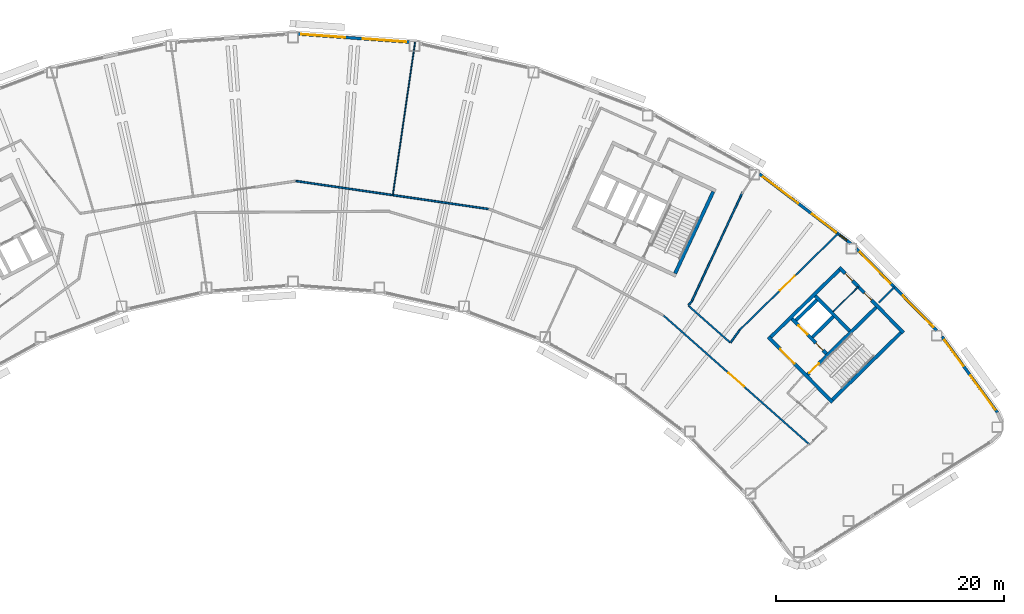
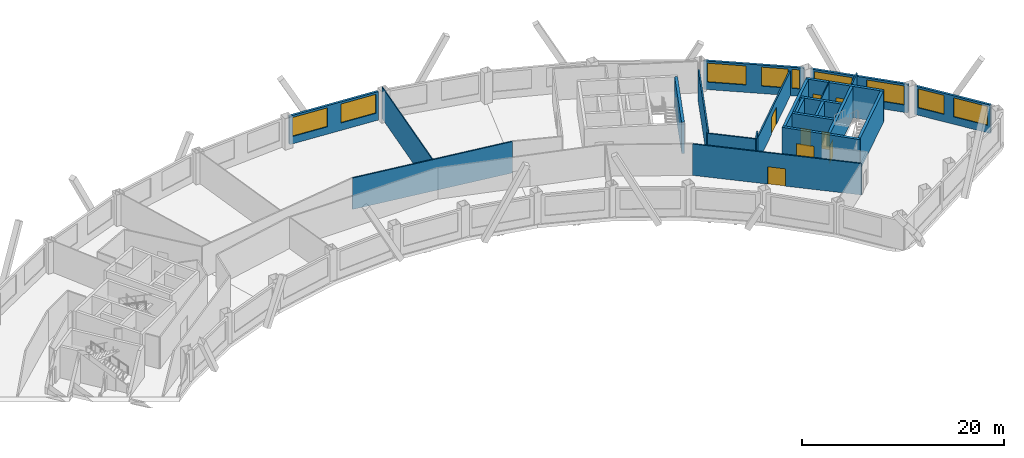
# One storey, part 8 of 12: 24 walls, 9 windows, 8 doors, 17 openings.
"""IFC4 building model written with IfcOpenShell, lengths in metres."""

from ifc_helpers import new_model, si_unit, direction, frame, frame_2d, origin, place, context, subcontext, project, spatial, rectangle, extrude, material, layer, layer_set, type_object, element, fill, save


model = new_model("IFC4")

# Units and contexts
model_context = context("Model", 3, precision=1e-05, world=origin(), true_north=direction((0.0, 1.0)))
body_context = subcontext(model_context, "Body", "Model", "MODEL_VIEW")
ifc_project = project(units=[si_unit("LENGTHUNIT", "METRE"), si_unit("AREAUNIT", "SQUARE_METRE"), si_unit("VOLUMEUNIT", "CUBIC_METRE"), si_unit("PLANEANGLEUNIT", "RADIAN"), si_unit("MASSUNIT", "GRAM", prefix="KILO")], contexts=[model_context])

# Site, building, storey
site_placement = place(None, origin())
site = spatial("IfcSite", under=ifc_project, at=site_placement, CompositionType="ELEMENT")
building_placement = place(site_placement, origin())
building = spatial("IfcBuilding", under=site, at=building_placement, Name="Tuul Gate Civic Tower", CompositionType="ELEMENT")
storey_placement = place(building_placement, frame((0.0, 0.0, 172.10009765625)))
storey = spatial("IfcBuildingStorey", under=building, at=storey_placement, Name="Level 39", CompositionType="ELEMENT", Elevation=172.10009765625)

# Wall, opening, door
ifc_material_1 = material(Name="Concrete C50/60", Category="concrete")
ifc_layer_1 = layer(ifc_material_1, 0.300048828125)
ifc_layer_set_1 = layer_set([ifc_layer_1], Name="Concrete C50/60")
wall_type_1 = type_object("IfcWallType", Name="Core wall C50/60", PredefinedType="SHEAR", material=ifc_layer_set_1)
wall_1_placement = place(storey_placement, frame((48.22509765625, -18.327880859375, 0.0), z_axis=(0.0, 0.0, 1.0), x_axis=(-0.700021979774, 0.714121297703, 0.0)))
wall_1 = element("IfcWall", 1, at=wall_1_placement, inside=storey, type_object=wall_type_1, Name="Core wall", PredefinedType="SHEAR", context=body_context, shape_type="SweptSolid", body=[
    extrude(rectangle(XDim=8.0, YDim=0.300048828125, at=frame_2d((4.0, 0.0))), origin(), (0.0, 0.0, 1.0), 3.7998046875),
])
opening_1_placement = place(wall_1_placement, frame((4.72509765625, 0.0, 0.0)))
opening_1 = element("IfcOpeningElement", 2, at=opening_1_placement, cuts=wall_1, Name="Opening LB-E1-LOBBY-1", PredefinedType="OPENING", context=body_context, shape_type="SweptSolid", body=[
    extrude(rectangle(XDim=1.800048828125, YDim=2.10009765625, at=frame_2d((0.89990234375, 1.050048828125))), frame((0.0, 0.16015625, 0.0), z_axis=(0.0, -1.0, 0.0), x_axis=(1.0, 0.0, 0.0)), (0.0, 0.0, 1.0), 0.320068359375),
])
ifc_material_2 = material(Name="Steel", Category="steel")
door_type_1 = type_object("IfcDoorType", Name="Lobby door", OperationType="DOUBLE_DOOR_SINGLE_SWING", PredefinedType="DOOR", material=ifc_material_2)
door_1_placement = place(opening_1_placement, frame((1.800048828125, 0.0, 0.0), z_axis=(0.0, 0.0, 1.0), x_axis=(-1.0, 0.0, 0.0)))
door_1 = element("IfcDoor", 3, at=door_1_placement, inside=storey, type_object=door_type_1, Name="Lobby door E1-LOBBY", OperationType="DOUBLE_DOOR_SINGLE_SWING", OverallHeight=2.10009765625, OverallWidth=1.800048828125, PredefinedType="DOOR", context=body_context, shape_type="SweptSolid", body=[
    extrude(rectangle(XDim=1.800048828125, YDim=2.10009765625, at=frame_2d((0.900146484375, 1.050048828125))), frame((0.0, 0.02490234375, 0.0), z_axis=(0.0, -1.0, 0.0), x_axis=(1.0, 0.0, 0.0)), (0.0, 0.0, 1.0), 0.050048828125),
])
fill(opening_1, door_1)

# Wall, openings, doors
wall_2_placement = place(storey_placement, frame((47.701904296875, -14.079833984375, 0.0), z_axis=(0.0, 0.0, 1.0), x_axis=(-0.700002721075, 0.714140175657, 0.0)))
wall_2 = element("IfcWall", 4, at=wall_2_placement, inside=storey, type_object=wall_type_1, Name="Core wall", PredefinedType="SHEAR", context=body_context, shape_type="SweptSolid", body=[
    extrude(rectangle(XDim=4.300048828125, YDim=0.300048828125, at=frame_2d((2.14990234375, 0.0))), origin(), (0.0, 0.0, 1.0), 3.7998046875),
])
opening_2_placement = place(wall_2_placement, frame((0.425048828125, 0.0, 0.0)))
opening_2 = element("IfcOpeningElement", 5, at=opening_2_placement, cuts=wall_2, Name="Opening FB-E1A1", PredefinedType="OPENING", context=body_context, shape_type="SweptSolid", body=[
    extrude(rectangle(XDim=0.89990234375, YDim=2.10009765625, at=frame_2d((0.449951171875, 1.050048828125))), frame((0.0, 0.16015625, 0.0), z_axis=(0.0, -1.0, 0.0), x_axis=(1.0, 0.0, 0.0)), (0.0, 0.0, 1.0), 0.320068359375),
])
opening_3_placement = place(wall_2_placement, frame((2.375, 0.0, 0.0)))
opening_3 = element("IfcOpeningElement", 6, at=opening_3_placement, cuts=wall_2, Name="Opening LD-M3", PredefinedType="OPENING", context=body_context, shape_type="SweptSolid", body=[
    extrude(rectangle(XDim=1.10009765625, YDim=2.10009765625, at=frame_2d((0.550048828125, 1.050048828125))), frame((0.0, 0.16015625, 0.0), z_axis=(0.0, -1.0, 0.0), x_axis=(1.0, 0.0, 0.0)), (0.0, 0.0, 1.0), 0.320068359375),
])
ifc_material_3 = material(Name="Stainless steel", Category="steel")
door_type_2 = type_object("IfcDoorType", Name="Landing door", OperationType="DOUBLE_DOOR_SLIDING", PredefinedType="DOOR", material=ifc_material_3)
door_2_placement = place(opening_3_placement, origin())
door_2 = element("IfcDoor", 7, at=door_2_placement, inside=storey, type_object=door_type_2, Name="Mid-rise lift M3 landing door", OperationType="DOUBLE_DOOR_SLIDING", OverallHeight=2.10009765625, OverallWidth=1.10009765625, PredefinedType="DOOR", context=body_context, shape_type="SweptSolid", body=[
    extrude(rectangle(XDim=1.10009765625, YDim=2.10009765625, at=frame_2d((0.550048828125, 1.050048828125))), frame((0.0, 0.02490234375, 0.0), z_axis=(0.0, -1.0, 0.0), x_axis=(1.0, 0.0, 0.0)), (0.0, 0.0, 1.0), 0.050048828125),
])
fill(opening_3, door_2)
ifc_material_4 = material(Name="Steel", Category="steel")
door_type_3 = type_object("IfcDoorType", Name="Store door", OperationType="NOTDEFINED", PredefinedType="DOOR", material=ifc_material_4)
door_3_placement = place(opening_2_placement, frame((0.89990234375, 0.0, 0.0), z_axis=(0.0, 0.0, 1.0), x_axis=(-1.0, 0.0, 0.0)))
door_3 = element("IfcDoor", 8, at=door_3_placement, inside=storey, type_object=door_type_3, Name="Store door E1A1", OperationType="SINGLE_SWING_RIGHT", OverallHeight=2.10009765625, OverallWidth=0.89990234375, PredefinedType="DOOR", context=body_context, shape_type="SweptSolid", body=[
    extrude(rectangle(XDim=0.89990234375, YDim=2.10009765625, at=frame_2d((0.449951171875, 1.050048828125))), frame((0.0, 0.02490234375, 0.0), z_axis=(0.0, -1.0, 0.0), x_axis=(1.0, 0.0, 0.0)), (0.0, 0.0, 1.0), 0.050048828125),
])
fill(opening_2, door_3)

# Wall
wall_3_placement = place(storey_placement, frame((49.737060546875, -12.0849609375, 0.0), z_axis=(0.0, 0.0, 1.0), x_axis=(-0.700002721075, 0.714140175657, 0.0)))
element("IfcWall", 9, at=wall_3_placement, inside=storey, type_object=wall_type_1, Name="Core wall", PredefinedType="SHEAR", context=body_context, shape_type="SweptSolid", body=[
    extrude(rectangle(XDim=4.300048828125, YDim=0.300048828125, at=frame_2d((2.14990234375, 0.0))), origin(), (0.0, 0.0, 1.0), 3.7998046875),
])

# Wall, openings, doors
wall_4_placement = place(storey_placement, frame((54.43798828125, -12.23779296875, 0.0), z_axis=(0.0, 0.0, 1.0), x_axis=(-0.700021979774, 0.714121297703, 0.0)))
wall_4 = element("IfcWall", 10, at=wall_4_placement, inside=storey, type_object=wall_type_1, Name="Core wall", PredefinedType="SHEAR", context=body_context, shape_type="SweptSolid", body=[
    extrude(rectangle(XDim=8.0, YDim=0.300048828125, at=frame_2d((4.0, 0.0))), origin(), (0.0, 0.0, 1.0), 3.7998046875),
])
opening_4_placement = place(wall_4_placement, frame((3.987548828125, 0.0, 0.0)))
opening_4 = element("IfcOpeningElement", 11, at=opening_4_placement, cuts=wall_4, Name="Opening N-D15", PredefinedType="OPENING", context=body_context, shape_type="SweptSolid", body=[
    extrude(rectangle(XDim=0.89990234375, YDim=2.10009765625, at=frame_2d((0.449951171875, 1.050048828125))), frame((0.0, 0.16015625, 0.0), z_axis=(0.0, -1.0, 0.0), x_axis=(1.0, 0.0, 0.0)), (0.0, 0.0, 1.0), 0.320068359375),
])
opening_5_placement = place(wall_4_placement, frame((6.362548828125, 0.0, 0.0)))
opening_5 = element("IfcOpeningElement", 12, at=opening_5_placement, cuts=wall_4, Name="Opening N-D16", PredefinedType="OPENING", context=body_context, shape_type="SweptSolid", body=[
    extrude(rectangle(XDim=0.89990234375, YDim=2.10009765625, at=frame_2d((0.449951171875, 1.050048828125))), frame((0.0, 0.16015625, 0.0), z_axis=(0.0, -1.0, 0.0), x_axis=(1.0, 0.0, 0.0)), (0.0, 0.0, 1.0), 0.320068359375),
])
ifc_material_5 = material(Name="Timber door leaf", Category="wood")
door_type_4 = type_object("IfcDoorType", Name="Door D09", OperationType="NOTDEFINED", PredefinedType="DOOR", material=ifc_material_5)
door_4_placement = place(opening_4_placement, origin())
door_4 = element("IfcDoor", 13, at=door_4_placement, inside=storey, type_object=door_type_4, Name="Door N-D15", OperationType="SINGLE_SWING_LEFT", OverallHeight=2.10009765625, OverallWidth=0.89990234375, PredefinedType="DOOR", context=body_context, shape_type="SweptSolid", body=[
    extrude(rectangle(XDim=0.89990234375, YDim=2.10009765625, at=frame_2d((0.449951171875, 1.050048828125))), frame((0.0, 0.02490234375, 0.0), z_axis=(0.0, -1.0, 0.0), x_axis=(1.0, 0.0, 0.0)), (0.0, 0.0, 1.0), 0.050048828125),
])
fill(opening_4, door_4)
door_5_placement = place(opening_5_placement, origin())
door_5 = element("IfcDoor", 14, at=door_5_placement, inside=storey, type_object=door_type_4, Name="Door N-D16", OperationType="SINGLE_SWING_LEFT", OverallHeight=2.10009765625, OverallWidth=0.89990234375, PredefinedType="DOOR", context=body_context, shape_type="SweptSolid", body=[
    extrude(rectangle(XDim=0.89990234375, YDim=2.10009765625, at=frame_2d((0.449951171875, 1.050048828125))), frame((0.0, 0.02490234375, 0.0), z_axis=(0.0, -1.0, 0.0), x_axis=(1.0, 0.0, 0.0)), (0.0, 0.0, 1.0), 0.050048828125),
])
fill(opening_5, door_5)

# Wall
wall_5_placement = place(storey_placement, frame((48.227294921875, -18.115966796875, 0.0), z_axis=(0.0, 0.0, 1.0), x_axis=(0.714105315431, 0.700038283577, 0.0)))
element("IfcWall", 15, at=wall_5_placement, inside=storey, type_object=wall_type_1, Name="Core wall", PredefinedType="SHEAR", context=body_context, shape_type="SweptSolid", body=[
    extrude(rectangle(XDim=8.400146484375, YDim=0.300048828125, at=frame_2d((4.2001953125, 0.0))), origin(), (0.0, 0.0, 1.0), 3.7998046875),
])

# Wall, opening, door
wall_6_placement = place(storey_placement, frame((46.05712890625, -15.902099609375, 0.0), z_axis=(0.0, 0.0, 1.0), x_axis=(0.714134086973, 0.700008932674, 0.0)))
wall_6 = element("IfcWall", 16, at=wall_6_placement, inside=storey, type_object=wall_type_1, Name="Core wall", PredefinedType="SHEAR", context=body_context, shape_type="SweptSolid", body=[
    extrude(rectangle(XDim=8.400146484375, YDim=0.300048828125, at=frame_2d((4.2001953125, 0.0))), origin(), (0.0, 0.0, 1.0), 3.7998046875),
])
opening_6_placement = place(wall_6_placement, frame((0.199951171875, 0.0, 0.0)))
opening_6 = element("IfcOpeningElement", 17, at=opening_6_placement, cuts=wall_6, Name="Opening SD-ST-3", PredefinedType="OPENING", context=body_context, shape_type="SweptSolid", body=[
    extrude(rectangle(XDim=1.199951171875, YDim=2.10009765625, at=frame_2d((0.60009765625, 1.050048828125))), frame((0.0, 0.16015625, 0.0), z_axis=(0.0, -1.0, 0.0), x_axis=(1.0, 0.0, 0.0)), (0.0, 0.0, 1.0), 0.320068359375),
])
ifc_material_6 = material(Name="Steel", Category="steel")
door_type_5 = type_object("IfcDoorType", Name="Stair door", OperationType="NOTDEFINED", PredefinedType="DOOR", material=ifc_material_6)
door_6_placement = place(opening_6_placement, origin())
door_6 = element("IfcDoor", 18, at=door_6_placement, inside=storey, type_object=door_type_5, Name="Stair door ST-3", OperationType="SINGLE_SWING_LEFT", OverallHeight=2.10009765625, OverallWidth=1.199951171875, PredefinedType="DOOR", context=body_context, shape_type="SweptSolid", body=[
    extrude(rectangle(XDim=1.199951171875, YDim=2.10009765625, at=frame_2d((0.60009765625, 1.050048828125))), frame((0.0, 0.02490234375, 0.0), z_axis=(0.0, -1.0, 0.0), x_axis=(1.0, 0.0, 0.0)), (0.0, 0.0, 1.0), 0.050048828125),
])
fill(opening_6, door_6)

# Walls
wall_7_placement = place(storey_placement, frame((46.47900390625, -12.617919921875, 0.0), z_axis=(0.0, 0.0, 1.0), x_axis=(0.71410944159, 0.700034074479, 0.0)))
element("IfcWall", 19, at=wall_7_placement, inside=storey, type_object=wall_type_1, Name="Core wall", PredefinedType="SHEAR", context=body_context, shape_type="SweptSolid", body=[
    extrude(rectangle(XDim=2.5498046875, YDim=0.300048828125, at=frame_2d((1.27490234375, 0.0))), origin(), (0.0, 0.0, 1.0), 3.7998046875),
])
wall_8_placement = place(storey_placement, frame((45.0439453125, -11.154052734375, 0.0), z_axis=(0.0, 0.0, 1.0), x_axis=(0.714108498262, 0.700035036773, 0.0)))
element("IfcWall", 20, at=wall_8_placement, inside=storey, type_object=wall_type_1, Name="Core wall", PredefinedType="SHEAR", context=body_context, shape_type="SweptSolid", body=[
    extrude(rectangle(XDim=2.550048828125, YDim=0.300048828125, at=frame_2d((1.27490234375, 0.0))), origin(), (0.0, 0.0, 1.0), 3.7998046875),
])
wall_9_placement = place(storey_placement, frame((42.837158203125, -12.616943359375, 0.0), z_axis=(0.0, 0.0, 1.0), x_axis=(0.714119844755, 0.700023461983, 0.0)))
element("IfcWall", 21, at=wall_9_placement, inside=storey, type_object=wall_type_1, Name="Core wall", PredefinedType="SHEAR", context=body_context, shape_type="SweptSolid", body=[
    extrude(rectangle(XDim=8.39990234375, YDim=0.300048828125, at=frame_2d((4.199951171875, 0.0))), origin(), (0.0, 0.0, 1.0), 3.7998046875),
])
wall_10_placement = place(storey_placement, frame((34.455810546875, -7.05078125, 0.0), z_axis=(0.0, 0.0, 1.0), x_axis=(0.422570768258, 0.906329932096, 0.0)))
element("IfcWall", 22, at=wall_10_placement, inside=storey, type_object=wall_type_1, Name="Core wall", PredefinedType="SHEAR", context=body_context, shape_type="SweptSolid", body=[
    extrude(rectangle(XDim=7.900146484375, YDim=0.300048828125, at=frame_2d((3.9501953125, 0.0))), origin(), (0.0, 0.0, 1.0), 3.7998046875),
])
ifc_material_7 = material(Name="Gypsum board partition")
ifc_layer_2 = layer(ifc_material_7, 0.14990234375)
ifc_layer_set_2 = layer_set([ifc_layer_2], Name="Gypsum board partition")
wall_type_2 = type_object("IfcWallType", Name="Corridor wall P150", PredefinedType="PARTITIONING", material=ifc_layer_set_2)
wall_11_placement = place(storey_placement, frame((35.616455078125, -9.875, 0.0), z_axis=(0.0, 0.0, 1.0), x_axis=(0.749743042124, -0.661729076576, 0.0)))
element("IfcWall", 23, at=wall_11_placement, inside=storey, type_object=wall_type_2, Name="p001", PredefinedType="PARTITIONING", context=body_context, shape_type="SweptSolid", body=[
    extrude(rectangle(XDim=4.884765625, YDim=0.14990234375, at=frame_2d((2.4423828125, 0.0))), origin(), (0.0, 0.0, 1.0), 3.7998046875),
])
wall_12_placement = place(storey_placement, frame((39.308349609375, -13.10400390625, 0.0), z_axis=(0.0, 0.0, 1.0), x_axis=(0.584971616372, 0.811053763964, 0.0)))
element("IfcWall", 24, at=wall_12_placement, inside=storey, type_object=wall_type_2, Name="p006", PredefinedType="PARTITIONING", context=body_context, shape_type="SweptSolid", body=[
    extrude(rectangle(XDim=1.340087890625, YDim=0.14990234375, at=frame_2d((0.669921875, 0.0))), origin(), (0.0, 0.0, 1.0), 3.7998046875),
])
wall_13_placement = place(storey_placement, frame((35.6142578125, -9.847412109375, 0.0), z_axis=(0.0, 0.0, 1.0), x_axis=(0.633627276475, 0.773638464987, 0.0)))
element("IfcWall", 25, at=wall_13_placement, inside=storey, type_object=wall_type_2, Name="p007", PredefinedType="PARTITIONING", context=body_context, shape_type="SweptSolid", body=[
    extrude(rectangle(XDim=0.477783203125, YDim=0.14990234375, at=frame_2d((0.23876953125, 0.0))), origin(), (0.0, 0.0, 1.0), 3.7998046875),
])
wall_14_placement = place(storey_placement, frame((35.917236328125, -9.477294921875, 0.0), z_axis=(0.0, 0.0, 1.0), x_axis=(0.42258186523, 0.906324758119, 0.0)))
element("IfcWall", 26, at=wall_14_placement, inside=storey, type_object=wall_type_2, Name="p008", PredefinedType="PARTITIONING", context=body_context, shape_type="SweptSolid", body=[
    extrude(rectangle(XDim=10.522216796875, YDim=0.14990234375, at=frame_2d((5.26123046875, 0.0))), origin(), (0.0, 0.0, 1.0), 3.7998046875),
])
wall_15_placement = place(storey_placement, frame((1.25537109375, 1.03857421875, 0.0), z_axis=(0.0, 0.0, 1.0), x_axis=(0.989615624531, -0.143739054139, 0.0)))
element("IfcWall", 27, at=wall_15_placement, inside=storey, type_object=wall_type_2, Name="p016", PredefinedType="PARTITIONING", context=body_context, shape_type="SweptSolid", body=[
    extrude(rectangle(XDim=17.059814453125, YDim=0.14990234375, at=frame_2d((8.52978515625, 0.0))), origin(), (0.0, 0.0, 1.0), 3.7998046875),
])

# Wall, opening, door
wall_16_placement = place(storey_placement, frame((33.445556640625, -10.73828125, 0.0), z_axis=(0.0, 0.0, 1.0), x_axis=(0.749315712161, -0.662212929131, 0.0)))
wall_16 = element("IfcWall", 28, at=wall_16_placement, inside=storey, type_object=wall_type_2, Name="p040", PredefinedType="PARTITIONING", context=body_context, shape_type="SweptSolid", body=[
    extrude(rectangle(XDim=17.06396484375, YDim=0.14990234375, at=frame_2d((8.531982421875, 0.0))), origin(), (0.0, 0.0, 1.0), 3.7998046875),
])
opening_7_placement = place(wall_16_placement, frame((7.591796875, 0.0, 0.0)))
opening_7 = element("IfcOpeningElement", 29, at=opening_7_placement, cuts=wall_16, Name="Opening N-D08", PredefinedType="OPENING", context=body_context, shape_type="SweptSolid", body=[
    extrude(rectangle(XDim=1.800048828125, YDim=2.10009765625, at=frame_2d((0.89990234375, 1.050048828125))), frame((0.0, 0.0849609375, 0.0), z_axis=(0.0, -1.0, 0.0), x_axis=(1.0, 0.0, 0.0)), (0.0, 0.0, 1.0), 0.169921875),
])
ifc_material_8 = material(Name="Timber door leaf, double", Category="wood")
door_type_6 = type_object("IfcDoorType", Name="Door D18", OperationType="DOUBLE_DOOR_SINGLE_SWING", PredefinedType="DOOR", material=ifc_material_8)
door_7_placement = place(opening_7_placement, frame((1.800048828125, 0.0, 0.0), z_axis=(0.0, 0.0, 1.0), x_axis=(-1.0, 0.0, 0.0)))
door_7 = element("IfcDoor", 30, at=door_7_placement, inside=storey, type_object=door_type_6, Name="Door N-D08", OperationType="DOUBLE_DOOR_SINGLE_SWING", OverallHeight=2.10009765625, OverallWidth=1.800048828125, PredefinedType="DOOR", context=body_context, shape_type="SweptSolid", body=[
    extrude(rectangle(XDim=1.800048828125, YDim=2.10009765625, at=frame_2d((0.900146484375, 1.050048828125))), frame((0.0, 0.02490234375, 0.0), z_axis=(0.0, -1.0, 0.0), x_axis=(1.0, 0.0, 0.0)), (0.0, 0.0, 1.0), 0.050048828125),
])
fill(opening_7, door_7)

# Wall
wall_17_placement = place(storey_placement, frame((52.281005859375, -9.60888671875, 0.0), z_axis=(0.0, 0.0, 1.0), x_axis=(0.714201482799, 0.699940170278, 0.0)))
element("IfcWall", 31, at=wall_17_placement, inside=storey, type_object=wall_type_2, Name="p051", PredefinedType="PARTITIONING", context=body_context, shape_type="SweptSolid", body=[
    extrude(rectangle(XDim=1.9345703125, YDim=0.14990234375, at=frame_2d((0.96728515625, 0.0))), origin(), (0.0, 0.0, 1.0), 3.7998046875),
])

# Wall, opening, door
ifc_material_9 = material(Name="Gypsum board partition")
ifc_layer_3 = layer(ifc_material_9, 0.14990234375)
ifc_layer_set_3 = layer_set([ifc_layer_3], Name="Gypsum board partition")
wall_type_3 = type_object("IfcWallType", Name="Corridor wall P150 3000 HIGH", PredefinedType="PARTITIONING", material=ifc_layer_set_3)
wall_18_placement = place(storey_placement, frame((40.093017578125, -12.016357421875, 0.0), z_axis=(0.0, 0.0, 1.0), x_axis=(0.714130130136, 0.700012969332, 0.0)))
wall_18 = element("IfcWall", 32, at=wall_18_placement, inside=storey, type_object=wall_type_3, Name="p005", PredefinedType="PARTITIONING", context=body_context, shape_type="SweptSolid", body=[
    extrude(rectangle(XDim=12.071044921875, YDim=0.14990234375, at=frame_2d((6.03564453125, 0.0))), origin(), (0.0, 0.0, 1.0), 3.0),
])
opening_8_placement = place(wall_18_placement, frame((4.968505859375, 0.0, 0.0)))
opening_8 = element("IfcOpeningElement", 33, at=opening_8_placement, cuts=wall_18, Name="Opening N-D02", PredefinedType="OPENING", context=body_context, shape_type="SweptSolid", body=[
    extrude(rectangle(XDim=1.800048828125, YDim=2.10009765625, at=frame_2d((0.89990234375, 1.050048828125))), frame((0.0, 0.0849609375, 0.0), z_axis=(0.0, -1.0, 0.0), x_axis=(1.0, 0.0, 0.0)), (0.0, 0.0, 1.0), 0.169921875),
])
door_8_placement = place(opening_8_placement, origin())
door_8 = element("IfcDoor", 34, at=door_8_placement, inside=storey, type_object=door_type_6, Name="Door N-D02", OperationType="DOUBLE_DOOR_SINGLE_SWING", OverallHeight=2.10009765625, OverallWidth=1.800048828125, PredefinedType="DOOR", context=body_context, shape_type="SweptSolid", body=[
    extrude(rectangle(XDim=1.800048828125, YDim=2.10009765625, at=frame_2d((0.89990234375, 1.050048828125))), frame((0.0, 0.02490234375, 0.0), z_axis=(0.0, -1.0, 0.0), x_axis=(1.0, 0.0, 0.0)), (0.0, 0.0, 1.0), 0.050048828125),
])
fill(opening_8, door_8)

# Wall, openings, windows
ifc_material_10 = material(Name="Precast concrete C40/50", Category="concrete")
ifc_layer_4 = layer(ifc_material_10, 0.25)
ifc_layer_set_4 = layer_set([ifc_layer_4], Name="Precast concrete C40/50")
wall_type_4 = type_object("IfcWallType", Name="External wall", PredefinedType="STANDARD", material=ifc_layer_set_4)
wall_19_placement = place(storey_placement, frame((62.678955078125, -19.229736328125, 0.0), z_axis=(0.0, 0.0, 1.0), x_axis=(-0.589755466838, 0.80758187779, 0.0)))
wall_19 = element("IfcWall", 35, at=wall_19_placement, inside=storey, type_object=wall_type_4, Name="External wall", PredefinedType="STANDARD", context=body_context, shape_type="SweptSolid", body=[
    extrude(rectangle(XDim=8.25244140625, YDim=0.25, at=frame_2d((4.126220703125, 0.0))), origin(), (0.0, 0.0, 1.0), 3.449951171875),
])
opening_9_placement = place(wall_19_placement, frame((0.30078125, 0.0, 0.89990234375)))
opening_9 = element("IfcOpeningElement", 36, at=opening_9_placement, cuts=wall_19, Name="Opening W21", PredefinedType="OPENING", context=body_context, shape_type="SweptSolid", body=[
    extrude(rectangle(XDim=3.699951171875, YDim=2.300048828125, at=frame_2d((1.85009765625, 1.14990234375))), frame((0.0, 0.135009765625, 0.0), z_axis=(0.0, -1.0, 0.0), x_axis=(1.0, 0.0, 0.0)), (0.0, 0.0, 1.0), 0.27001953125),
])
opening_10_placement = place(wall_19_placement, frame((5.052734375, 0.0, 0.89990234375)))
opening_10 = element("IfcOpeningElement", 37, at=opening_10_placement, cuts=wall_19, Name="Opening W23", PredefinedType="OPENING", context=body_context, shape_type="SweptSolid", body=[
    extrude(rectangle(XDim=2.800048828125, YDim=2.300048828125, at=frame_2d((1.39990234375, 1.14990234375))), frame((0.0, 0.135009765625, 0.0), z_axis=(0.0, -1.0, 0.0), x_axis=(1.0, 0.0, 0.0)), (0.0, 0.0, 1.0), 0.27001953125),
])
ifc_material_11 = material(Name="Glass", Category="glass")
window_type_1 = type_object("IfcWindowType", Name="Window W21 3700 x 2300", PartitioningType="SINGLE_PANEL", PredefinedType="WINDOW", material=ifc_material_11)
window_1_placement = place(opening_9_placement, origin())
window_1 = element("IfcWindow", 38, at=window_1_placement, inside=storey, type_object=window_type_1, Name="Window", OverallHeight=2.300048828125, OverallWidth=3.699951171875, PartitioningType="SINGLE_PANEL", PredefinedType="WINDOW", context=body_context, shape_type="SweptSolid", body=[
    extrude(rectangle(XDim=3.699951171875, YDim=2.300048828125, at=frame_2d((1.85009765625, 1.14990234375))), frame((0.0, 0.030029296875, 0.0), z_axis=(0.0, -1.0, 0.0), x_axis=(1.0, 0.0, 0.0)), (0.0, 0.0, 1.0), 0.06005859375),
])
fill(opening_9, window_1)
ifc_material_12 = material(Name="Glass", Category="glass")
window_type_2 = type_object("IfcWindowType", Name="Window W23 2800 x 2300", PartitioningType="SINGLE_PANEL", PredefinedType="WINDOW", material=ifc_material_12)
window_2_placement = place(opening_10_placement, origin())
window_2 = element("IfcWindow", 39, at=window_2_placement, inside=storey, type_object=window_type_2, Name="Window", OverallHeight=2.300048828125, OverallWidth=2.800048828125, PartitioningType="SINGLE_PANEL", PredefinedType="WINDOW", context=body_context, shape_type="SweptSolid", body=[
    extrude(rectangle(XDim=2.800048828125, YDim=2.300048828125, at=frame_2d((1.39990234375, 1.14990234375))), frame((0.0, 0.030029296875, 0.0), z_axis=(0.0, -1.0, 0.0), x_axis=(1.0, 0.0, 0.0)), (0.0, 0.0, 1.0), 0.06005859375),
])
fill(opening_10, window_2)

wall_20_placement = place(storey_placement, frame((57.3759765625, -12.050048828125, 0.0), z_axis=(0.0, 0.0, 1.0), x_axis=(-0.700042765506, 0.714100921763, 0.0)))
wall_20 = element("IfcWall", 40, at=wall_20_placement, inside=storey, type_object=wall_type_4, Name="External wall", PredefinedType="STANDARD", context=body_context, shape_type="SweptSolid", body=[
    extrude(rectangle(XDim=10.05517578125, YDim=0.25, at=frame_2d((5.027587890625, 0.0))), origin(), (0.0, 0.0, 1.0), 3.449951171875),
])
opening_11_placement = place(wall_20_placement, frame((0.416748046875, 0.0, 0.89990234375)))
opening_11 = element("IfcOpeningElement", 41, at=opening_11_placement, cuts=wall_20, Name="Opening W22", PredefinedType="OPENING", context=body_context, shape_type="SweptSolid", body=[
    extrude(rectangle(XDim=3.85009765625, YDim=2.300048828125, at=frame_2d((1.925048828125, 1.14990234375))), frame((0.0, 0.135009765625, 0.0), z_axis=(0.0, -1.0, 0.0), x_axis=(1.0, 0.0, 0.0)), (0.0, 0.0, 1.0), 0.27001953125),
])
opening_12_placement = place(wall_20_placement, frame((5.787841796875, 0.0, 0.89990234375)))
opening_12 = element("IfcOpeningElement", 42, at=opening_12_placement, cuts=wall_20, Name="Opening W22", PredefinedType="OPENING", context=body_context, shape_type="SweptSolid", body=[
    extrude(rectangle(XDim=3.85009765625, YDim=2.300048828125, at=frame_2d((1.925048828125, 1.14990234375))), frame((0.0, 0.135009765625, 0.0), z_axis=(0.0, -1.0, 0.0), x_axis=(1.0, 0.0, 0.0)), (0.0, 0.0, 1.0), 0.27001953125),
])
ifc_material_13 = material(Name="Glass", Category="glass")
window_type_3 = type_object("IfcWindowType", Name="Window W22 3850 x 2300", PartitioningType="SINGLE_PANEL", PredefinedType="WINDOW", material=ifc_material_13)
window_3_placement = place(opening_11_placement, origin())
window_3 = element("IfcWindow", 43, at=window_3_placement, inside=storey, type_object=window_type_3, Name="Window", OverallHeight=2.300048828125, OverallWidth=3.85009765625, PartitioningType="SINGLE_PANEL", PredefinedType="WINDOW", context=body_context, shape_type="SweptSolid", body=[
    extrude(rectangle(XDim=3.85009765625, YDim=2.300048828125, at=frame_2d((1.925048828125, 1.14990234375))), frame((0.0, 0.030029296875, 0.0), z_axis=(0.0, -1.0, 0.0), x_axis=(1.0, 0.0, 0.0)), (0.0, 0.0, 1.0), 0.06005859375),
])
fill(opening_11, window_3)
window_4_placement = place(opening_12_placement, origin())
window_4 = element("IfcWindow", 44, at=window_4_placement, inside=storey, type_object=window_type_3, Name="Window", OverallHeight=2.300048828125, OverallWidth=3.85009765625, PartitioningType="SINGLE_PANEL", PredefinedType="WINDOW", context=body_context, shape_type="SweptSolid", body=[
    extrude(rectangle(XDim=3.85009765625, YDim=2.300048828125, at=frame_2d((1.925048828125, 1.14990234375))), frame((0.0, 0.030029296875, 0.0), z_axis=(0.0, -1.0, 0.0), x_axis=(1.0, 0.0, 0.0)), (0.0, 0.0, 1.0), 0.06005859375),
])
fill(opening_12, window_4)

wall_21_placement = place(storey_placement, frame((49.83251953125, -4.425048828125, 0.0), z_axis=(0.0, 0.0, 1.0), x_axis=(-0.795600211162, 0.605822006862, 0.0)))
wall_21 = element("IfcWall", 45, at=wall_21_placement, inside=storey, type_object=wall_type_4, Name="External wall", PredefinedType="STANDARD", context=body_context, shape_type="SweptSolid", body=[
    extrude(rectangle(XDim=10.043212890625, YDim=0.25, at=frame_2d((5.021484375, 0.0))), origin(), (0.0, 0.0, 1.0), 3.449951171875),
])
opening_13_placement = place(wall_21_placement, frame((5.782958984375, 0.0, 0.89990234375)))
opening_13 = element("IfcOpeningElement", 46, at=opening_13_placement, cuts=wall_21, Name="Opening W22", PredefinedType="OPENING", context=body_context, shape_type="SweptSolid", body=[
    extrude(rectangle(XDim=3.85009765625, YDim=2.300048828125, at=frame_2d((1.925048828125, 1.14990234375))), frame((0.0, 0.135009765625, 0.0), z_axis=(0.0, -1.0, 0.0), x_axis=(1.0, 0.0, 0.0)), (0.0, 0.0, 1.0), 0.27001953125),
])
opening_14_placement = place(wall_21_placement, frame((0.436279296875, 0.0, 0.89990234375)))
opening_14 = element("IfcOpeningElement", 47, at=opening_14_placement, cuts=wall_21, Name="Opening W53", PredefinedType="OPENING", context=body_context, shape_type="SweptSolid", body=[
    extrude(rectangle(XDim=0.75, YDim=2.300048828125, at=frame_2d((0.375, 1.14990234375))), frame((0.0, 0.135009765625, 0.0), z_axis=(0.0, -1.0, 0.0), x_axis=(1.0, 0.0, 0.0)), (0.0, 0.0, 1.0), 0.27001953125),
])
opening_15_placement = place(wall_21_placement, frame((1.611328125, 0.0, 0.89990234375)))
opening_15 = element("IfcOpeningElement", 48, at=opening_15_placement, cuts=wall_21, Name="Opening W37", PredefinedType="OPENING", context=body_context, shape_type="SweptSolid", body=[
    extrude(rectangle(XDim=2.64990234375, YDim=2.300048828125, at=frame_2d((1.324951171875, 1.14990234375))), frame((0.0, 0.135009765625, 0.0), z_axis=(0.0, -1.0, 0.0), x_axis=(1.0, 0.0, 0.0)), (0.0, 0.0, 1.0), 0.27001953125),
])
ifc_material_14 = material(Name="Glass", Category="glass")
window_type_4 = type_object("IfcWindowType", Name="Window 2650 x 2300", PartitioningType="SINGLE_PANEL", PredefinedType="WINDOW", material=ifc_material_14)
window_5_placement = place(opening_15_placement, origin())
window_5 = element("IfcWindow", 49, at=window_5_placement, inside=storey, type_object=window_type_4, Name="Window", OverallHeight=2.300048828125, OverallWidth=2.64990234375, PartitioningType="SINGLE_PANEL", PredefinedType="WINDOW", context=body_context, shape_type="SweptSolid", body=[
    extrude(rectangle(XDim=2.64990234375, YDim=2.300048828125, at=frame_2d((1.324951171875, 1.14990234375))), frame((0.0, 0.030029296875, 0.0), z_axis=(0.0, -1.0, 0.0), x_axis=(1.0, 0.0, 0.0)), (0.0, 0.0, 1.0), 0.06005859375),
])
fill(opening_15, window_5)
ifc_material_15 = material(Name="Glass", Category="glass")
window_type_5 = type_object("IfcWindowType", Name="Window 750 x 2300", PartitioningType="SINGLE_PANEL", PredefinedType="WINDOW", material=ifc_material_15)
window_6_placement = place(opening_14_placement, origin())
window_6 = element("IfcWindow", 50, at=window_6_placement, inside=storey, type_object=window_type_5, Name="Window", OverallHeight=2.300048828125, OverallWidth=0.75, PartitioningType="SINGLE_PANEL", PredefinedType="WINDOW", context=body_context, shape_type="SweptSolid", body=[
    extrude(rectangle(XDim=0.75, YDim=2.300048828125, at=frame_2d((0.375, 1.14990234375))), frame((0.0, 0.030029296875, 0.0), z_axis=(0.0, -1.0, 0.0), x_axis=(1.0, 0.0, 0.0)), (0.0, 0.0, 1.0), 0.06005859375),
])
fill(opening_14, window_6)
window_7_placement = place(opening_13_placement, origin())
window_7 = element("IfcWindow", 51, at=window_7_placement, inside=storey, type_object=window_type_3, Name="Window", OverallHeight=2.300048828125, OverallWidth=3.85009765625, PartitioningType="SINGLE_PANEL", PredefinedType="WINDOW", context=body_context, shape_type="SweptSolid", body=[
    extrude(rectangle(XDim=3.85009765625, YDim=2.300048828125, at=frame_2d((1.925048828125, 1.14990234375))), frame((0.0, 0.030029296875, 0.0), z_axis=(0.0, -1.0, 0.0), x_axis=(1.0, 0.0, 0.0)), (0.0, 0.0, 1.0), 0.06005859375),
])
fill(opening_13, window_7)

wall_22_placement = place(storey_placement, frame((11.18896484375, 13.202880859375, 0.0), z_axis=(0.0, 0.0, 1.0), x_axis=(-0.997385917902, 0.072258776432, 0.0)))
wall_22 = element("IfcWall", 52, at=wall_22_placement, inside=storey, type_object=wall_type_4, Name="External wall", PredefinedType="STANDARD", context=body_context, shape_type="SweptSolid", body=[
    extrude(rectangle(XDim=9.774658203125, YDim=0.25, at=frame_2d((4.88720703125, 0.0))), origin(), (0.0, 0.0, 1.0), 3.449951171875),
])
opening_16_placement = place(wall_22_placement, frame((0.253173828125, 0.0, 0.89990234375)))
opening_16 = element("IfcOpeningElement", 53, at=opening_16_placement, cuts=wall_22, Name="Opening W22", PredefinedType="OPENING", context=body_context, shape_type="SweptSolid", body=[
    extrude(rectangle(XDim=3.85009765625, YDim=2.300048828125, at=frame_2d((1.925048828125, 1.14990234375))), frame((0.0, 0.135009765625, 0.0), z_axis=(0.0, -1.0, 0.0), x_axis=(1.0, 0.0, 0.0)), (0.0, 0.0, 1.0), 0.27001953125),
])
opening_17_placement = place(wall_22_placement, frame((5.624267578125, 0.0, 0.89990234375)))
opening_17 = element("IfcOpeningElement", 54, at=opening_17_placement, cuts=wall_22, Name="Opening W22", PredefinedType="OPENING", context=body_context, shape_type="SweptSolid", body=[
    extrude(rectangle(XDim=3.85009765625, YDim=2.300048828125, at=frame_2d((1.925048828125, 1.14990234375))), frame((0.0, 0.135009765625, 0.0), z_axis=(0.0, -1.0, 0.0), x_axis=(1.0, 0.0, 0.0)), (0.0, 0.0, 1.0), 0.27001953125),
])
window_8_placement = place(opening_16_placement, origin())
window_8 = element("IfcWindow", 55, at=window_8_placement, inside=storey, type_object=window_type_3, Name="Window", OverallHeight=2.300048828125, OverallWidth=3.85009765625, PartitioningType="SINGLE_PANEL", PredefinedType="WINDOW", context=body_context, shape_type="SweptSolid", body=[
    extrude(rectangle(XDim=3.85009765625, YDim=2.300048828125, at=frame_2d((1.925048828125, 1.14990234375))), frame((0.0, 0.030029296875, 0.0), z_axis=(0.0, -1.0, 0.0), x_axis=(1.0, 0.0, 0.0)), (0.0, 0.0, 1.0), 0.06005859375),
])
fill(opening_16, window_8)
window_9_placement = place(opening_17_placement, origin())
window_9 = element("IfcWindow", 56, at=window_9_placement, inside=storey, type_object=window_type_3, Name="Window", OverallHeight=2.300048828125, OverallWidth=3.85009765625, PartitioningType="SINGLE_PANEL", PredefinedType="WINDOW", context=body_context, shape_type="SweptSolid", body=[
    extrude(rectangle(XDim=3.85009765625, YDim=2.300048828125, at=frame_2d((1.925048828125, 1.14990234375))), frame((0.0, 0.030029296875, 0.0), z_axis=(0.0, -1.0, 0.0), x_axis=(1.0, 0.0, 0.0)), (0.0, 0.0, 1.0), 0.06005859375),
])
fill(opening_17, window_9)

# Walls
ifc_material_16 = material(Name="Gypsum board partition")
ifc_layer_5 = layer(ifc_material_16, 0.10009765625)
ifc_layer_set_5 = layer_set([ifc_layer_5], Name="Gypsum board partition")
wall_type_5 = type_object("IfcWallType", Name="Partition P100", PredefinedType="PARTITIONING", material=ifc_layer_set_5)
wall_23_placement = place(storey_placement, frame((9.740478515625, -0.19384765625, 0.0), z_axis=(0.0, 0.0, 1.0), x_axis=(0.144115887833, 0.989560817168, 0.0)))
element("IfcWall", 57, at=wall_23_placement, inside=storey, type_object=wall_type_5, Name="p009", PredefinedType="PARTITIONING", context=body_context, shape_type="SweptSolid", body=[
    extrude(rectangle(XDim=13.5068359375, YDim=0.10009765625, at=frame_2d((6.75341796875, 0.0))), origin(), (0.0, 0.0, 1.0), 3.7998046875),
])
wall_24_placement = place(storey_placement, frame((48.28662109375, -10.390869140625, 0.0), z_axis=(0.0, 0.0, 1.0), x_axis=(0.714159293908, 0.699983216173, 0.0)))
element("IfcWall", 58, at=wall_24_placement, inside=storey, type_object=wall_type_5, Name="bE1-BAND-0", PredefinedType="PARTITIONING", context=body_context, shape_type="SweptSolid", body=[
    extrude(rectangle(XDim=3.099853515625, YDim=0.10009765625, at=frame_2d((1.5498046875, 0.0))), origin(), (0.0, 0.0, 1.0), 3.7998046875),
])

save(model, "model.ifc")
